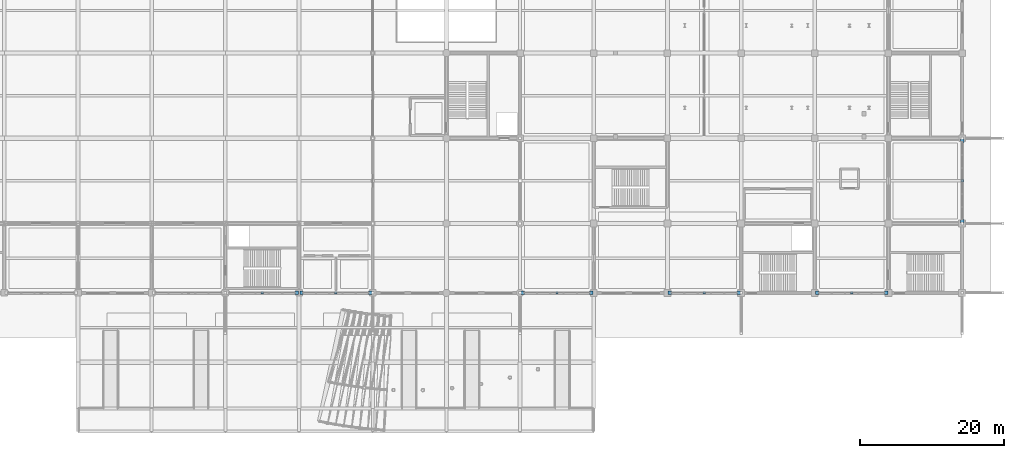
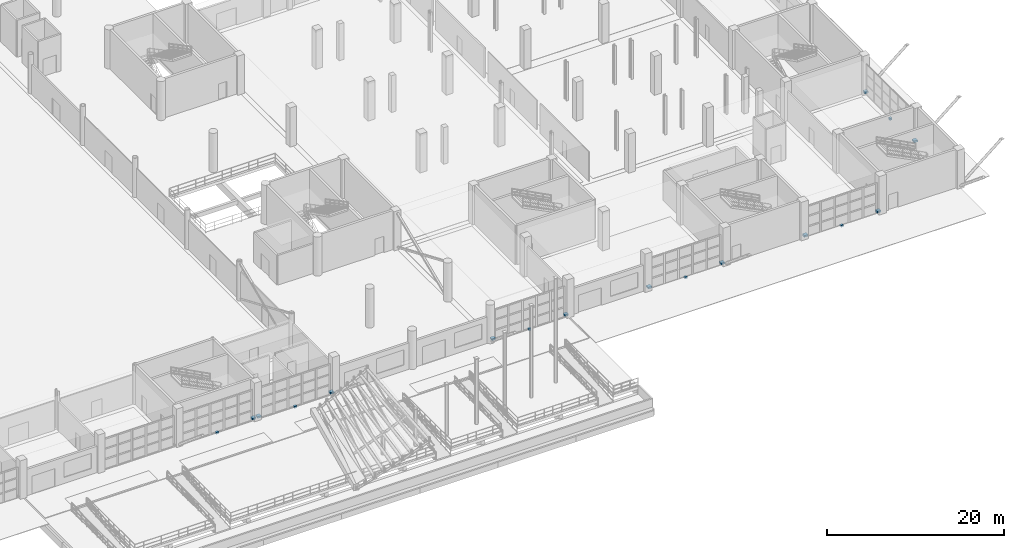
# One storey, part 106 of 124: 17 discrete accessories.
"""IFC4 building model written with IfcOpenShell, lengths in metres."""

from ifc_helpers import new_model, si_unit, direction, frame, origin, origin_2d, place, context, subcontext, project, spatial, rectangle, extrude, material, type_object, element, save


model = new_model("IFC4")

# Units and contexts
model_context = context("Model", 3, precision=1e-05, world=origin(), true_north=direction((0.0, 1.0)))
body_context = subcontext(model_context, "Body", "Model", "MODEL_VIEW")
ifc_project = project(units=[si_unit("LENGTHUNIT", "METRE"), si_unit("AREAUNIT", "SQUARE_METRE"), si_unit("VOLUMEUNIT", "CUBIC_METRE"), si_unit("PLANEANGLEUNIT", "RADIAN"), si_unit("MASSUNIT", "GRAM", prefix="KILO")], contexts=[model_context])

# Site, building, storey
site_placement = place(None, origin())
site = spatial("IfcSite", under=ifc_project, at=site_placement, CompositionType="ELEMENT")
building_placement = place(site_placement, origin())
building = spatial("IfcBuilding", under=site, at=building_placement, Name="Brelvane Convention Centre", CompositionType="ELEMENT")
storey_placement = place(building_placement, origin())
storey = spatial("IfcBuildingStorey", under=building, at=storey_placement, Name="L00", CompositionType="ELEMENT", Elevation=0.0)

# Discrete accessories
ifc_material = material(Name="Steel E350 (350 MPa)", Category="steel")
discrete_accessory_type = type_object("IfcDiscreteAccessoryType", Name="Facade Outrigger Bracket BRK-02", PredefinedType="BRACKET", material=ifc_material)
discrete_accessory_1_placement = place(storey_placement, frame((132.260009765625, 19.199951171875, 0.22998046875), z_axis=(0.0, 0.0, 1.0), x_axis=(1.0, 0.0, 0.0)))
element("IfcDiscreteAccessory", 1, at=discrete_accessory_1_placement, inside=storey, type_object=discrete_accessory_type, Name="Curtain Wall Anchor Bracket L00-V1S-13-R", PredefinedType="BRACKET", context=body_context, shape_type="SweptSolid", body=[
    extrude(rectangle(XDim=0.47998046875, YDim=0.47998046875, at=origin_2d()), origin(), (0.0, 0.0, 1.0), 0.239990234375),
])
discrete_accessory_2_placement = place(storey_placement, frame((127.5, 19.199951171875, -0.14013671875), z_axis=(0.0, 0.0, 1.0), x_axis=(1.0, 0.0, 0.0)))
element("IfcDiscreteAccessory", 2, at=discrete_accessory_2_placement, inside=storey, type_object=discrete_accessory_type, Name="Curtain Wall Anchor Bracket L00-V1S-13-B", PredefinedType="BRACKET", context=body_context, shape_type="SweptSolid", body=[
    extrude(rectangle(XDim=0.320068359375, YDim=0.320068359375, at=origin_2d()), origin(), (0.0, 0.0, 1.0), 0.280029296875),
])
for number, where, z_axis, x_axis, name in (
    (3, (132.93994140625, 19.199951171875, 0.22998046875), (0.0, 0.0, 1.0), (1.0, 0.0, 0.0), "Curtain Wall Anchor Bracket L00-V1S-14-L"),
    (4, (142.4599609375, 19.199951171875, 0.22998046875), (0.0, 0.0, 1.0), (1.0, 0.0, 0.0), "Curtain Wall Anchor Bracket L00-V1S-14-R"),
):
    element("IfcDiscreteAccessory", number, at=place(storey_placement, frame(where, z_axis=z_axis, x_axis=x_axis)), inside=storey, type_object=discrete_accessory_type, Name=name, PredefinedType="BRACKET", context=body_context, shape_type="SweptSolid", body=[
        extrude(rectangle(XDim=0.47998046875, YDim=0.47998046875, at=origin_2d()), origin(), (0.0, 0.0, 1.0), 0.239990234375),
    ])
discrete_accessory_3_placement = place(storey_placement, frame((137.699951171875, 19.199951171875, -0.14013671875), z_axis=(0.0, 0.0, 1.0), x_axis=(1.0, 0.0, 0.0)))
element("IfcDiscreteAccessory", 5, at=discrete_accessory_3_placement, inside=storey, type_object=discrete_accessory_type, Name="Curtain Wall Anchor Bracket L00-V1S-14-B", PredefinedType="BRACKET", context=body_context, shape_type="SweptSolid", body=[
    extrude(rectangle(XDim=0.320068359375, YDim=0.320068359375, at=origin_2d()), origin(), (0.0, 0.0, 1.0), 0.280029296875),
])
for number, where, z_axis, x_axis, name in (
    (6, (163.5400390625, 19.199951171875, 0.22998046875), (0.0, 0.0, 1.0), (1.0, 0.0, 0.0), "Curtain Wall Anchor Bracket L00-V1S-17-L"),
    (7, (173.06005859375, 19.199951171875, 0.22998046875), (0.0, 0.0, 1.0), (1.0, 0.0, 0.0), "Curtain Wall Anchor Bracket L00-V1S-17-R"),
):
    element("IfcDiscreteAccessory", number, at=place(storey_placement, frame(where, z_axis=z_axis, x_axis=x_axis)), inside=storey, type_object=discrete_accessory_type, Name=name, PredefinedType="BRACKET", context=body_context, shape_type="SweptSolid", body=[
        extrude(rectangle(XDim=0.47998046875, YDim=0.47998046875, at=origin_2d()), origin(), (0.0, 0.0, 1.0), 0.239990234375),
    ])
discrete_accessory_4_placement = place(storey_placement, frame((168.300048828125, 19.199951171875, -0.14013671875), z_axis=(0.0, 0.0, 1.0), x_axis=(1.0, 0.0, 0.0)))
element("IfcDiscreteAccessory", 8, at=discrete_accessory_4_placement, inside=storey, type_object=discrete_accessory_type, Name="Curtain Wall Anchor Bracket L00-V1S-17-B", PredefinedType="BRACKET", context=body_context, shape_type="SweptSolid", body=[
    extrude(rectangle(XDim=0.320068359375, YDim=0.320068359375, at=origin_2d()), origin(), (0.0, 0.0, 1.0), 0.280029296875),
])
for number, where, z_axis, x_axis, name in (
    (9, (183.93994140625, 19.199951171875, 0.22998046875), (0.0, 0.0, 1.0), (1.0, 0.0, 0.0), "Curtain Wall Anchor Bracket L00-V1S-19-L"),
    (10, (193.4599609375, 19.199951171875, 0.22998046875), (0.0, 0.0, 1.0), (1.0, 0.0, 0.0), "Curtain Wall Anchor Bracket L00-V1S-19-R"),
):
    element("IfcDiscreteAccessory", number, at=place(storey_placement, frame(where, z_axis=z_axis, x_axis=x_axis)), inside=storey, type_object=discrete_accessory_type, Name=name, PredefinedType="BRACKET", context=body_context, shape_type="SweptSolid", body=[
        extrude(rectangle(XDim=0.47998046875, YDim=0.47998046875, at=origin_2d()), origin(), (0.0, 0.0, 1.0), 0.239990234375),
    ])
discrete_accessory_5_placement = place(storey_placement, frame((188.699951171875, 19.199951171875, -0.14013671875), z_axis=(0.0, 0.0, 1.0), x_axis=(1.0, 0.0, 0.0)))
element("IfcDiscreteAccessory", 11, at=discrete_accessory_5_placement, inside=storey, type_object=discrete_accessory_type, Name="Curtain Wall Anchor Bracket L00-V1S-19-B", PredefinedType="BRACKET", context=body_context, shape_type="SweptSolid", body=[
    extrude(rectangle(XDim=0.320068359375, YDim=0.320068359375, at=origin_2d()), origin(), (0.0, 0.0, 1.0), 0.280029296875),
])
for number, where, z_axis, x_axis, name in (
    (12, (204.340087890625, 19.199951171875, 0.22998046875), (0.0, 0.0, 1.0), (1.0, 0.0, 0.0), "Curtain Wall Anchor Bracket L00-V1S-21-L"),
    (13, (213.860107421875, 19.199951171875, 0.22998046875), (0.0, 0.0, 1.0), (1.0, 0.0, 0.0), "Curtain Wall Anchor Bracket L00-V1S-21-R"),
):
    element("IfcDiscreteAccessory", number, at=place(storey_placement, frame(where, z_axis=z_axis, x_axis=x_axis)), inside=storey, type_object=discrete_accessory_type, Name=name, PredefinedType="BRACKET", context=body_context, shape_type="SweptSolid", body=[
        extrude(rectangle(XDim=0.47998046875, YDim=0.47998046875, at=origin_2d()), origin(), (0.0, 0.0, 1.0), 0.239990234375),
    ])
discrete_accessory_6_placement = place(storey_placement, frame((209.10009765625, 19.199951171875, -0.14013671875), z_axis=(0.0, 0.0, 1.0), x_axis=(1.0, 0.0, 0.0)))
element("IfcDiscreteAccessory", 14, at=discrete_accessory_6_placement, inside=storey, type_object=discrete_accessory_type, Name="Curtain Wall Anchor Bracket L00-V1S-21-B", PredefinedType="BRACKET", context=body_context, shape_type="SweptSolid", body=[
    extrude(rectangle(XDim=0.320068359375, YDim=0.320068359375, at=origin_2d()), origin(), (0.0, 0.0, 1.0), 0.280029296875),
])
for number, where, z_axis, x_axis, name in (
    (15, (224.39990234375, 29.139892578125, 0.22998046875), (0.0, 0.0, 1.0), (1.0, 0.0, 0.0), "Curtain Wall Anchor Bracket L00-V5E-CW-L00-L"),
    (16, (224.39990234375, 40.260009765625, 0.22998046875), (0.0, 0.0, 1.0), (1.0, 0.0, 0.0), "Curtain Wall Anchor Bracket L00-V5E-CW-L00-R"),
):
    element("IfcDiscreteAccessory", number, at=place(storey_placement, frame(where, z_axis=z_axis, x_axis=x_axis)), inside=storey, type_object=discrete_accessory_type, Name=name, PredefinedType="BRACKET", context=body_context, shape_type="SweptSolid", body=[
        extrude(rectangle(XDim=0.47998046875, YDim=0.47998046875, at=origin_2d()), origin(), (0.0, 0.0, 1.0), 0.239990234375),
    ])
discrete_accessory_7_placement = place(storey_placement, frame((224.39990234375, 34.699951171875, -0.14013671875), z_axis=(0.0, 0.0, 1.0), x_axis=(1.0, 0.0, 0.0)))
element("IfcDiscreteAccessory", 17, at=discrete_accessory_7_placement, inside=storey, type_object=discrete_accessory_type, Name="Curtain Wall Anchor Bracket L00-V5E-CW-L00-B", PredefinedType="BRACKET", context=body_context, shape_type="SweptSolid", body=[
    extrude(rectangle(XDim=0.320068359375, YDim=0.320068359375, at=origin_2d()), origin(), (0.0, 0.0, 1.0), 0.280029296875),
])

save(model, "model.ifc")
